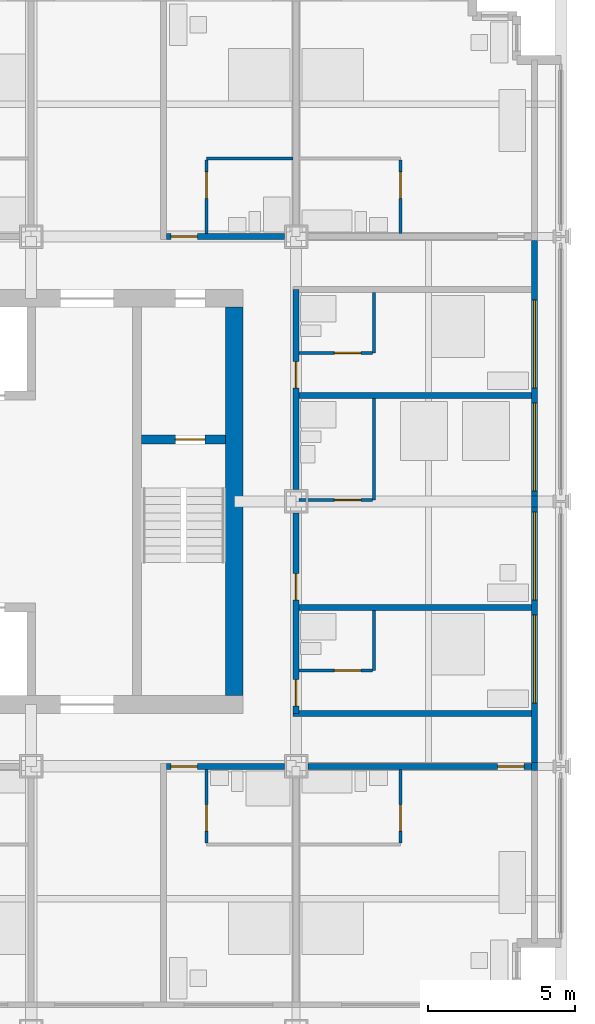
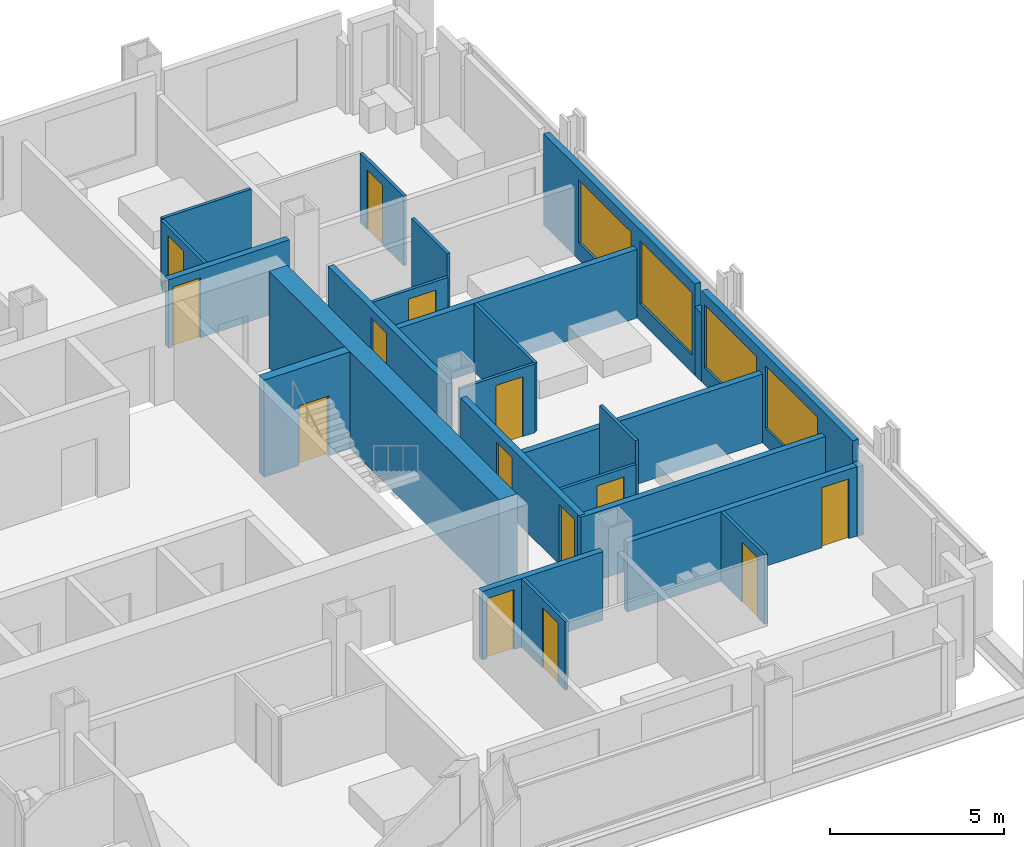
# One storey, part 12 of 17: 25 walls, 14 doors, 4 windows, 18 openings.
"""IFC4 building model written with IfcOpenShell, lengths in metres."""

from ifc_helpers import new_model, si_unit, direction, frame, frame_2d, origin, place, context, subcontext, project, spatial, rectangle, extrude, material, layer, layer_set, type_object, element, fill, save


model = new_model("IFC4")

# Units and contexts
model_context = context("Model", 3, precision=1e-05, world=origin(), true_north=direction((0.0, 1.0)))
body_context = subcontext(model_context, "Body", "Model", "MODEL_VIEW")
ifc_project = project(units=[si_unit("LENGTHUNIT", "METRE"), si_unit("AREAUNIT", "SQUARE_METRE"), si_unit("VOLUMEUNIT", "CUBIC_METRE"), si_unit("PLANEANGLEUNIT", "RADIAN"), si_unit("MASSUNIT", "GRAM", prefix="KILO")], contexts=[model_context])

# Site, building, storey
site_placement = place(None, origin())
site = spatial("IfcSite", under=ifc_project, at=site_placement, CompositionType="ELEMENT")
building_placement = place(site_placement, origin())
building = spatial("IfcBuilding", under=site, at=building_placement, Name="Loomwork Tower", CompositionType="ELEMENT")
storey_placement = place(building_placement, frame((0.0, 0.0, 145.199951171875)))
storey = spatial("IfcBuildingStorey", under=building, at=storey_placement, Name="L39", CompositionType="ELEMENT", Elevation=145.199951171875)

# Wall, opening, door
ifc_material_1 = material(Name="Concrete 14000 psi (97 MPa)", Category="concrete")
ifc_layer_1 = layer(ifc_material_1, 0.300048828125)
ifc_layer_set_1 = layer_set([ifc_layer_1], Name="Core shear wall 300")
wall_type_1 = type_object("IfcWallType", Name="Core shear wall 300", PredefinedType="SHEAR", material=ifc_layer_set_1)
wall_1_placement = place(storey_placement, frame((30.75, 20.10009765625, 0.0), z_axis=(0.0, 0.0, 1.0), x_axis=(1.0, 0.0, 0.0)))
wall_1 = element("IfcWall", 1, at=wall_1_placement, inside=storey, type_object=wall_type_1, Name="Stair B north wall L39", PredefinedType="SHEAR", context=body_context, shape_type="SweptSolid", body=[
    extrude(rectangle(XDim=2.85009765625, YDim=0.300048828125, at=frame_2d((1.425048828125, 0.0))), origin(), (0.0, 0.0, 1.0), 3.400146484375),
])
opening_1_placement = place(wall_1_placement, frame((1.14990234375, 0.0, 0.0)))
opening_1 = element("IfcOpeningElement", 2, at=opening_1_placement, cuts=wall_1, Name="Opening D4", PredefinedType="OPENING", context=body_context, shape_type="SweptSolid", body=[
    extrude(rectangle(XDim=1.0, YDim=2.10009765625, at=frame_2d((0.5, 1.050048828125))), frame((0.0, 0.159912109375, 0.0), z_axis=(0.0, -1.0, 0.0), x_axis=(1.0, 0.0, 0.0)), (0.0, 0.0, 1.0), 0.320068359375),
])
ifc_material_2 = material(Name="Hollow metal door and frame")
door_type_1 = type_object("IfcDoorType", Name="Stair door 1000", OperationType="SINGLE_SWING_RIGHT", PredefinedType="DOOR", material=ifc_material_2)
door_1_placement = place(opening_1_placement, frame((1.0, 0.0, 0.0), z_axis=(0.0, 0.0, 1.0), x_axis=(-1.0, 0.0, 0.0)))
door_1 = element("IfcDoor", 3, at=door_1_placement, inside=storey, type_object=door_type_1, Name="Stair B door", OperationType="SINGLE_SWING_LEFT", OverallHeight=2.10009765625, OverallWidth=1.0, PredefinedType="DOOR", context=body_context, shape_type="SweptSolid", body=[
    extrude(rectangle(XDim=1.0, YDim=2.10009765625, at=frame_2d((0.5, 1.050048828125))), frame((0.0, 0.02490234375, 0.0), z_axis=(0.0, -1.0, 0.0), x_axis=(1.0, 0.0, 0.0)), (0.0, 0.0, 1.0), 0.050048828125),
])
fill(opening_1, door_1)

# Wall
ifc_material_3 = material(Name="Concrete 14000 psi (97 MPa)", Category="concrete")
ifc_layer_2 = layer(ifc_material_3, 0.60009765625)
ifc_layer_set_2 = layer_set([ifc_layer_2], Name="Core shear wall 600")
wall_type_2 = type_object("IfcWallType", Name="Core shear wall 600", PredefinedType="SHEAR", material=ifc_layer_set_2)
wall_2_placement = place(storey_placement, frame((33.89990234375, 11.39990234375, 0.0), z_axis=(0.0, 0.0, 1.0), x_axis=(0.0, 1.0, 0.0)))
element("IfcWall", 4, at=wall_2_placement, inside=storey, type_object=wall_type_2, Name="Core wall east L39", PredefinedType="SHEAR", context=body_context, shape_type="SweptSolid", body=[
    extrude(rectangle(XDim=13.2001953125, YDim=0.60009765625, at=frame_2d((6.60009765625, 0.0))), origin(), (0.0, 0.0, 1.0), 3.400146484375),
])

# Wall, opening, door
ifc_material_4 = material(Name="Gypsum board on steel studs, one-hour", Category="steel")
ifc_layer_3 = layer(ifc_material_4, 0.199951171875)
ifc_layer_set_3 = layer_set([ifc_layer_3], Name="Corridor wall 200")
wall_type_3 = type_object("IfcWallType", Name="Corridor wall 200", PredefinedType="PARTITIONING", material=ifc_layer_set_3)
wall_3_placement = place(storey_placement, frame((31.60009765625, 9.0, 0.0), z_axis=(0.0, 0.0, 1.0), x_axis=(1.0, 0.0, 0.0)))
wall_3 = element("IfcWall", 5, at=wall_3_placement, inside=storey, type_object=wall_type_3, Name="South corridor wall 4", PredefinedType="PARTITIONING", context=body_context, shape_type="SweptSolid", body=[
    extrude(rectangle(XDim=4.0, YDim=0.199951171875, at=frame_2d((2.0, 0.0))), origin(), (0.0, 0.0, 1.0), 2.405029296875),
])
opening_2_placement = place(wall_3_placement, frame((0.14990234375, 0.0, 0.0)))
opening_2 = element("IfcOpeningElement", 6, at=opening_2_placement, cuts=wall_3, Name="Opening D1", PredefinedType="OPENING", context=body_context, shape_type="SweptSolid", body=[
    extrude(rectangle(XDim=0.89990234375, YDim=2.10009765625, at=frame_2d((0.449951171875, 1.050048828125))), frame((0.0, 0.10986328125, 0.0), z_axis=(0.0, -1.0, 0.0), x_axis=(1.0, 0.0, 0.0)), (0.0, 0.0, 1.0), 0.219970703125),
])
ifc_material_5 = material(Name="Hollow metal door and frame")
door_type_2 = type_object("IfcDoorType", Name="Guest room entry door 900", OperationType="SINGLE_SWING_LEFT", PredefinedType="DOOR", material=ifc_material_5)
door_2_placement = place(opening_2_placement, frame((0.89990234375, 0.0, 0.0), z_axis=(0.0, 0.0, 1.0), x_axis=(-1.0, 0.0, 0.0)))
door_2 = element("IfcDoor", 7, at=door_2_placement, inside=storey, type_object=door_type_2, Name="Guest room entry door L39 5", OperationType="SINGLE_SWING_RIGHT", OverallHeight=2.10009765625, OverallWidth=0.89990234375, PredefinedType="DOOR", context=body_context, shape_type="SweptSolid", body=[
    extrude(rectangle(XDim=0.89990234375, YDim=2.10009765625, at=frame_2d((0.449951171875, 1.050048828125))), frame((0.0, 0.02490234375, 0.0), z_axis=(0.0, -1.0, 0.0), x_axis=(1.0, 0.0, 0.0)), (0.0, 0.0, 1.0), 0.050048828125),
])
fill(opening_2, door_2)

wall_4_placement = place(storey_placement, frame((36.39990234375, 9.0, 0.0), z_axis=(0.0, 0.0, 1.0), x_axis=(1.0, 0.0, 0.0)))
wall_4 = element("IfcWall", 8, at=wall_4_placement, inside=storey, type_object=wall_type_3, Name="South corridor wall 5", PredefinedType="PARTITIONING", context=body_context, shape_type="SweptSolid", body=[
    extrude(rectangle(XDim=7.60009765625, YDim=0.199951171875, at=frame_2d((3.800048828125, 0.0))), origin(), (0.0, 0.0, 1.0), 2.43798828125),
])
opening_3_placement = place(wall_4_placement, frame((6.449951171875, 0.0, 0.0)))
opening_3 = element("IfcOpeningElement", 9, at=opening_3_placement, cuts=wall_4, Name="Opening D1", PredefinedType="OPENING", context=body_context, shape_type="SweptSolid", body=[
    extrude(rectangle(XDim=0.89990234375, YDim=2.10009765625, at=frame_2d((0.449951171875, 1.050048828125))), frame((0.0, 0.10986328125, 0.0), z_axis=(0.0, -1.0, 0.0), x_axis=(1.0, 0.0, 0.0)), (0.0, 0.0, 1.0), 0.219970703125),
])
door_3_placement = place(opening_3_placement, frame((0.89990234375, 0.0, 0.0), z_axis=(0.0, 0.0, 1.0), x_axis=(-1.0, 0.0, 0.0)))
door_3 = element("IfcDoor", 10, at=door_3_placement, inside=storey, type_object=door_type_2, Name="Guest room entry door L39 6", OperationType="SINGLE_SWING_LEFT", OverallHeight=2.10009765625, OverallWidth=0.89990234375, PredefinedType="DOOR", context=body_context, shape_type="SweptSolid", body=[
    extrude(rectangle(XDim=0.89990234375, YDim=2.10009765625, at=frame_2d((0.449951171875, 1.050048828125))), frame((0.0, 0.02490234375, 0.0), z_axis=(0.0, -1.0, 0.0), x_axis=(1.0, 0.0, 0.0)), (0.0, 0.0, 1.0), 0.050048828125),
])
fill(opening_3, door_3)

wall_5_placement = place(storey_placement, frame((31.60009765625, 27.0, 0.0), z_axis=(0.0, 0.0, 1.0), x_axis=(1.0, 0.0, 0.0)))
wall_5 = element("IfcWall", 11, at=wall_5_placement, inside=storey, type_object=wall_type_3, Name="North corridor wall 4", PredefinedType="PARTITIONING", context=body_context, shape_type="SweptSolid", body=[
    extrude(rectangle(XDim=4.0, YDim=0.199951171875, at=frame_2d((2.0, 0.0))), origin(), (0.0, 0.0, 1.0), 2.405029296875),
])
opening_4_placement = place(wall_5_placement, frame((0.14990234375, 0.0, 0.0)))
opening_4 = element("IfcOpeningElement", 12, at=opening_4_placement, cuts=wall_5, Name="Opening D1", PredefinedType="OPENING", context=body_context, shape_type="SweptSolid", body=[
    extrude(rectangle(XDim=0.89990234375, YDim=2.10009765625, at=frame_2d((0.449951171875, 1.050048828125))), frame((0.0, 0.10986328125, 0.0), z_axis=(0.0, -1.0, 0.0), x_axis=(1.0, 0.0, 0.0)), (0.0, 0.0, 1.0), 0.219970703125),
])
door_4_placement = place(opening_4_placement, origin())
door_4 = element("IfcDoor", 13, at=door_4_placement, inside=storey, type_object=door_type_2, Name="Guest room entry door L39 12", OperationType="SINGLE_SWING_LEFT", OverallHeight=2.10009765625, OverallWidth=0.89990234375, PredefinedType="DOOR", context=body_context, shape_type="SweptSolid", body=[
    extrude(rectangle(XDim=0.89990234375, YDim=2.10009765625, at=frame_2d((0.449951171875, 1.050048828125))), frame((0.0, 0.02490234375, 0.0), z_axis=(0.0, -1.0, 0.0), x_axis=(1.0, 0.0, 0.0)), (0.0, 0.0, 1.0), 0.050048828125),
])
fill(opening_4, door_4)

# Wall, openings, doors
wall_6_placement = place(storey_placement, frame((36.0, 10.800048828125, 0.0), z_axis=(0.0, 0.0, 1.0), x_axis=(0.0, 1.0, 0.0)))
wall_6 = element("IfcWall", 14, at=wall_6_placement, inside=storey, type_object=wall_type_3, Name="East corridor wall 1", PredefinedType="PARTITIONING", context=body_context, shape_type="SweptSolid", body=[
    extrude(rectangle(XDim=6.800048828125, YDim=0.199951171875, at=frame_2d((3.39990234375, 0.0))), origin(), (0.0, 0.0, 1.0), 2.405029296875),
])
opening_5_placement = place(wall_6_placement, frame((0.25, 0.0, 0.0)))
opening_5 = element("IfcOpeningElement", 15, at=opening_5_placement, cuts=wall_6, Name="Opening D1", PredefinedType="OPENING", context=body_context, shape_type="SweptSolid", body=[
    extrude(rectangle(XDim=0.89990234375, YDim=2.10009765625, at=frame_2d((0.449951171875, 1.050048828125))), frame((0.0, 0.10986328125, 0.0), z_axis=(0.0, -1.0, 0.0), x_axis=(1.0, 0.0, 0.0)), (0.0, 0.0, 1.0), 0.219970703125),
])
opening_6_placement = place(wall_6_placement, frame((3.85009765625, 0.0, 0.0)))
opening_6 = element("IfcOpeningElement", 16, at=opening_6_placement, cuts=wall_6, Name="Opening D1", PredefinedType="OPENING", context=body_context, shape_type="SweptSolid", body=[
    extrude(rectangle(XDim=0.89990234375, YDim=2.10009765625, at=frame_2d((0.449951171875, 1.050048828125))), frame((0.0, 0.10986328125, 0.0), z_axis=(0.0, -1.0, 0.0), x_axis=(1.0, 0.0, 0.0)), (0.0, 0.0, 1.0), 0.219970703125),
])
door_5_placement = place(opening_5_placement, frame((0.89990234375, 0.0, 0.0), z_axis=(0.0, 0.0, 1.0), x_axis=(-1.0, 0.0, 0.0)))
door_5 = element("IfcDoor", 17, at=door_5_placement, inside=storey, type_object=door_type_2, Name="Guest room entry door L39 17", OperationType="SINGLE_SWING_RIGHT", OverallHeight=2.10009765625, OverallWidth=0.89990234375, PredefinedType="DOOR", context=body_context, shape_type="SweptSolid", body=[
    extrude(rectangle(XDim=0.89990234375, YDim=2.10009765625, at=frame_2d((0.449951171875, 1.050048828125))), frame((0.0, 0.02490234375, 0.0), z_axis=(0.0, -1.0, 0.0), x_axis=(1.0, 0.0, 0.0)), (0.0, 0.0, 1.0), 0.050048828125),
])
fill(opening_5, door_5)
door_6_placement = place(opening_6_placement, frame((0.89990234375, 0.0, 0.0), z_axis=(0.0, 0.0, 1.0), x_axis=(-1.0, 0.0, 0.0)))
door_6 = element("IfcDoor", 18, at=door_6_placement, inside=storey, type_object=door_type_2, Name="Guest room entry door L39 18", OperationType="SINGLE_SWING_RIGHT", OverallHeight=2.10009765625, OverallWidth=0.89990234375, PredefinedType="DOOR", context=body_context, shape_type="SweptSolid", body=[
    extrude(rectangle(XDim=0.89990234375, YDim=2.10009765625, at=frame_2d((0.449951171875, 1.050048828125))), frame((0.0, 0.02490234375, 0.0), z_axis=(0.0, -1.0, 0.0), x_axis=(1.0, 0.0, 0.0)), (0.0, 0.0, 1.0), 0.050048828125),
])
fill(opening_6, door_6)

# Wall, opening, door
wall_7_placement = place(storey_placement, frame((36.0, 18.39990234375, 0.0), z_axis=(0.0, 0.0, 1.0), x_axis=(0.0, 1.0, 0.0)))
wall_7 = element("IfcWall", 19, at=wall_7_placement, inside=storey, type_object=wall_type_3, Name="East corridor wall 2", PredefinedType="PARTITIONING", context=body_context, shape_type="SweptSolid", body=[
    extrude(rectangle(XDim=6.800048828125, YDim=0.199951171875, at=frame_2d((3.39990234375, 0.0))), origin(), (0.0, 0.0, 1.0), 2.405029296875),
])
opening_7_placement = place(wall_7_placement, frame((3.449951171875, 0.0, 0.0)))
opening_7 = element("IfcOpeningElement", 20, at=opening_7_placement, cuts=wall_7, Name="Opening D1", PredefinedType="OPENING", context=body_context, shape_type="SweptSolid", body=[
    extrude(rectangle(XDim=0.89990234375, YDim=2.10009765625, at=frame_2d((0.449951171875, 1.050048828125))), frame((0.0, 0.10986328125, 0.0), z_axis=(0.0, -1.0, 0.0), x_axis=(1.0, 0.0, 0.0)), (0.0, 0.0, 1.0), 0.219970703125),
])
door_7_placement = place(opening_7_placement, frame((0.89990234375, 0.0, 0.0), z_axis=(0.0, 0.0, 1.0), x_axis=(-1.0, 0.0, 0.0)))
door_7 = element("IfcDoor", 21, at=door_7_placement, inside=storey, type_object=door_type_2, Name="Guest room entry door L39 19", OperationType="SINGLE_SWING_RIGHT", OverallHeight=2.10009765625, OverallWidth=0.89990234375, PredefinedType="DOOR", context=body_context, shape_type="SweptSolid", body=[
    extrude(rectangle(XDim=0.89990234375, YDim=2.10009765625, at=frame_2d((0.449951171875, 1.050048828125))), frame((0.0, 0.02490234375, 0.0), z_axis=(0.0, -1.0, 0.0), x_axis=(1.0, 0.0, 0.0)), (0.0, 0.0, 1.0), 0.050048828125),
])
fill(opening_7, door_7)

# Wall
wall_8_placement = place(storey_placement, frame((35.89990234375, 10.800048828125, 0.0), z_axis=(0.0, 0.0, 1.0), x_axis=(1.0, 0.0, 0.0)))
element("IfcWall", 22, at=wall_8_placement, inside=storey, type_object=wall_type_3, Name="East band end wall S", PredefinedType="PARTITIONING", context=body_context, shape_type="SweptSolid", body=[
    extrude(rectangle(XDim=8.10009765625, YDim=0.199951171875, at=frame_2d((4.050048828125, 0.0))), origin(), (0.0, 0.0, 1.0), 2.404052734375),
])

# Wall, opening, door
ifc_material_6 = material(Name="Cement board on steel studs", Category="steel")
ifc_layer_4 = layer(ifc_material_6, 0.10009765625)
ifc_layer_set_4 = layer_set([ifc_layer_4], Name="En-suite partition 100")
wall_type_4 = type_object("IfcWallType", Name="En-suite partition 100", PredefinedType="PARTITIONING", material=ifc_layer_set_4)
wall_9_placement = place(storey_placement, frame((32.949951171875, 8.89990234375, 0.0), z_axis=(0.0, 0.0, 1.0), x_axis=(0.0, -1.0, 0.0)))
wall_9 = element("IfcWall", 23, at=wall_9_placement, inside=storey, type_object=wall_type_4, Name="En-suite side wall L39 room 5", PredefinedType="PARTITIONING", context=body_context, shape_type="SweptSolid", body=[
    extrude(rectangle(XDim=2.5, YDim=0.10009765625, at=frame_2d((1.25, 0.0))), origin(), (0.0, 0.0, 1.0), 2.404052734375),
])
opening_8_placement = place(wall_9_placement, frame((1.199951171875, 0.0, 0.0)))
opening_8 = element("IfcOpeningElement", 24, at=opening_8_placement, cuts=wall_9, Name="Opening D3", PredefinedType="OPENING", context=body_context, shape_type="SweptSolid", body=[
    extrude(rectangle(XDim=0.89990234375, YDim=2.10009765625, at=frame_2d((0.449951171875, 1.050048828125))), frame((0.0, 0.06005859375, 0.0), z_axis=(0.0, -1.0, 0.0), x_axis=(1.0, 0.0, 0.0)), (0.0, 0.0, 1.0), 0.1201171875),
])
ifc_material_7 = material(Name="Hollow metal door and frame")
door_type_3 = type_object("IfcDoorType", Name="Accessible en-suite door 900", OperationType="SLIDING_TO_LEFT", PredefinedType="DOOR", material=ifc_material_7)
door_8_placement = place(opening_8_placement, origin())
door_8 = element("IfcDoor", 25, at=door_8_placement, inside=storey, type_object=door_type_3, Name="Accessible en-suite door room 5", OperationType="SLIDING_TO_LEFT", OverallHeight=2.10009765625, OverallWidth=0.89990234375, PredefinedType="DOOR", context=body_context, shape_type="SweptSolid", body=[
    extrude(rectangle(XDim=0.89990234375, YDim=2.10009765625, at=frame_2d((0.449951171875, 1.050048828125))), frame((0.0, 0.02490234375, 0.0), z_axis=(0.0, -1.0, 0.0), x_axis=(1.0, 0.0, 0.0)), (0.0, 0.0, 1.0), 0.050048828125),
])
fill(opening_8, door_8)

wall_10_placement = place(storey_placement, frame((39.550048828125, 8.89990234375, 0.0), z_axis=(0.0, 0.0, 1.0), x_axis=(0.0, -1.0, 0.0)))
wall_10 = element("IfcWall", 26, at=wall_10_placement, inside=storey, type_object=wall_type_4, Name="En-suite side wall L39 room 6", PredefinedType="PARTITIONING", context=body_context, shape_type="SweptSolid", body=[
    extrude(rectangle(XDim=2.5, YDim=0.10009765625, at=frame_2d((1.25, 0.0))), origin(), (0.0, 0.0, 1.0), 2.43798828125),
])
opening_9_placement = place(wall_10_placement, frame((1.199951171875, 0.0, 0.0)))
opening_9 = element("IfcOpeningElement", 27, at=opening_9_placement, cuts=wall_10, Name="Opening D2", PredefinedType="OPENING", context=body_context, shape_type="SweptSolid", body=[
    extrude(rectangle(XDim=0.89990234375, YDim=2.10009765625, at=frame_2d((0.449951171875, 1.050048828125))), frame((0.0, 0.06005859375, 0.0), z_axis=(0.0, -1.0, 0.0), x_axis=(1.0, 0.0, 0.0)), (0.0, 0.0, 1.0), 0.1201171875),
])
ifc_material_8 = material(Name="Hollow metal door and frame")
door_type_4 = type_object("IfcDoorType", Name="En-suite door 900", OperationType="SINGLE_SWING_LEFT", PredefinedType="DOOR", material=ifc_material_8)
door_9_placement = place(opening_9_placement, frame((0.89990234375, 0.0, 0.0), z_axis=(0.0, 0.0, 1.0), x_axis=(-1.0, 0.0, 0.0)))
door_9 = element("IfcDoor", 28, at=door_9_placement, inside=storey, type_object=door_type_4, Name="En-suite door room 6", OperationType="SINGLE_SWING_LEFT", OverallHeight=2.10009765625, OverallWidth=0.89990234375, PredefinedType="DOOR", context=body_context, shape_type="SweptSolid", body=[
    extrude(rectangle(XDim=0.89990234375, YDim=2.10009765625, at=frame_2d((0.449951171875, 1.050048828125))), frame((0.0, 0.02490234375, 0.0), z_axis=(0.0, -1.0, 0.0), x_axis=(1.0, 0.0, 0.0)), (0.0, 0.0, 1.0), 0.050048828125),
])
fill(opening_9, door_9)

# Wall
wall_11_placement = place(storey_placement, frame((32.949951171875, 29.64990234375, 0.0), z_axis=(0.0, 0.0, 1.0), x_axis=(1.0, 0.0, 0.0)))
element("IfcWall", 29, at=wall_11_placement, inside=storey, type_object=wall_type_4, Name="En-suite wall L39 room 12", PredefinedType="PARTITIONING", context=body_context, shape_type="SweptSolid", body=[
    extrude(rectangle(XDim=2.949951171875, YDim=0.10009765625, at=frame_2d((1.47509765625, 0.0))), origin(), (0.0, 0.0, 1.0), 2.43798828125),
])

# Wall, opening, door
wall_12_placement = place(storey_placement, frame((32.949951171875, 27.10009765625, 0.0), z_axis=(0.0, 0.0, 1.0), x_axis=(0.0, 1.0, 0.0)))
wall_12 = element("IfcWall", 30, at=wall_12_placement, inside=storey, type_object=wall_type_4, Name="En-suite side wall L39 room 12", PredefinedType="PARTITIONING", context=body_context, shape_type="SweptSolid", body=[
    extrude(rectangle(XDim=2.5, YDim=0.10009765625, at=frame_2d((1.25, 0.0))), origin(), (0.0, 0.0, 1.0), 2.404052734375),
])
opening_10_placement = place(wall_12_placement, frame((1.199951171875, 0.0, 0.0)))
opening_10 = element("IfcOpeningElement", 31, at=opening_10_placement, cuts=wall_12, Name="Opening D2", PredefinedType="OPENING", context=body_context, shape_type="SweptSolid", body=[
    extrude(rectangle(XDim=0.89990234375, YDim=2.10009765625, at=frame_2d((0.449951171875, 1.050048828125))), frame((0.0, 0.06005859375, 0.0), z_axis=(0.0, -1.0, 0.0), x_axis=(1.0, 0.0, 0.0)), (0.0, 0.0, 1.0), 0.1201171875),
])
door_10_placement = place(opening_10_placement, frame((0.89990234375, 0.0, 0.0), z_axis=(0.0, 0.0, 1.0), x_axis=(-1.0, 0.0, 0.0)))
door_10 = element("IfcDoor", 32, at=door_10_placement, inside=storey, type_object=door_type_4, Name="En-suite door room 12", OperationType="SINGLE_SWING_LEFT", OverallHeight=2.10009765625, OverallWidth=0.89990234375, PredefinedType="DOOR", context=body_context, shape_type="SweptSolid", body=[
    extrude(rectangle(XDim=0.89990234375, YDim=2.10009765625, at=frame_2d((0.449951171875, 1.050048828125))), frame((0.0, 0.02490234375, 0.0), z_axis=(0.0, -1.0, 0.0), x_axis=(1.0, 0.0, 0.0)), (0.0, 0.0, 1.0), 0.050048828125),
])
fill(opening_10, door_10)

wall_13_placement = place(storey_placement, frame((39.550048828125, 27.10009765625, 0.0), z_axis=(0.0, 0.0, 1.0), x_axis=(0.0, 1.0, 0.0)))
wall_13 = element("IfcWall", 33, at=wall_13_placement, inside=storey, type_object=wall_type_4, Name="En-suite side wall L39 room 13", PredefinedType="PARTITIONING", context=body_context, shape_type="SweptSolid", body=[
    extrude(rectangle(XDim=2.5, YDim=0.10009765625, at=frame_2d((1.25, 0.0))), origin(), (0.0, 0.0, 1.0), 2.43798828125),
])
opening_11_placement = place(wall_13_placement, frame((1.199951171875, 0.0, 0.0)))
opening_11 = element("IfcOpeningElement", 34, at=opening_11_placement, cuts=wall_13, Name="Opening D2", PredefinedType="OPENING", context=body_context, shape_type="SweptSolid", body=[
    extrude(rectangle(XDim=0.89990234375, YDim=2.10009765625, at=frame_2d((0.449951171875, 1.050048828125))), frame((0.0, 0.06005859375, 0.0), z_axis=(0.0, -1.0, 0.0), x_axis=(1.0, 0.0, 0.0)), (0.0, 0.0, 1.0), 0.1201171875),
])
door_11_placement = place(opening_11_placement, origin())
door_11 = element("IfcDoor", 35, at=door_11_placement, inside=storey, type_object=door_type_4, Name="En-suite door room 13", OperationType="SINGLE_SWING_RIGHT", OverallHeight=2.10009765625, OverallWidth=0.89990234375, PredefinedType="DOOR", context=body_context, shape_type="SweptSolid", body=[
    extrude(rectangle(XDim=0.89990234375, YDim=2.10009765625, at=frame_2d((0.449951171875, 1.050048828125))), frame((0.0, 0.02490234375, 0.0), z_axis=(0.0, -1.0, 0.0), x_axis=(1.0, 0.0, 0.0)), (0.0, 0.0, 1.0), 0.050048828125),
])
fill(opening_11, door_11)

# Wall
wall_14_placement = place(storey_placement, frame((38.64990234375, 12.25, 0.0), z_axis=(0.0, 0.0, 1.0), x_axis=(0.0, 1.0, 0.0)))
element("IfcWall", 36, at=wall_14_placement, inside=storey, type_object=wall_type_4, Name="En-suite wall L39 room 17", PredefinedType="PARTITIONING", context=body_context, shape_type="SweptSolid", body=[
    extrude(rectangle(XDim=2.050048828125, YDim=0.10009765625, at=frame_2d((1.02490234375, 0.0))), origin(), (0.0, 0.0, 1.0), 3.199951171875),
])

# Wall, opening, door
wall_15_placement = place(storey_placement, frame((36.10009765625, 12.25, 0.0), z_axis=(0.0, 0.0, 1.0), x_axis=(1.0, 0.0, 0.0)))
wall_15 = element("IfcWall", 37, at=wall_15_placement, inside=storey, type_object=wall_type_4, Name="En-suite side wall L39 room 17", PredefinedType="PARTITIONING", context=body_context, shape_type="SweptSolid", body=[
    extrude(rectangle(XDim=2.5, YDim=0.10009765625, at=frame_2d((1.25, 0.0))), origin(), (0.0, 0.0, 1.0), 2.404052734375),
])
opening_12_placement = place(wall_15_placement, frame((1.199951171875, 0.0, 0.0)))
opening_12 = element("IfcOpeningElement", 38, at=opening_12_placement, cuts=wall_15, Name="Opening D2", PredefinedType="OPENING", context=body_context, shape_type="SweptSolid", body=[
    extrude(rectangle(XDim=0.89990234375, YDim=2.10009765625, at=frame_2d((0.449951171875, 1.050048828125))), frame((0.0, 0.06005859375, 0.0), z_axis=(0.0, -1.0, 0.0), x_axis=(1.0, 0.0, 0.0)), (0.0, 0.0, 1.0), 0.1201171875),
])
door_12_placement = place(opening_12_placement, origin())
door_12 = element("IfcDoor", 39, at=door_12_placement, inside=storey, type_object=door_type_4, Name="En-suite door room 17", OperationType="SINGLE_SWING_RIGHT", OverallHeight=2.10009765625, OverallWidth=0.89990234375, PredefinedType="DOOR", context=body_context, shape_type="SweptSolid", body=[
    extrude(rectangle(XDim=0.89990234375, YDim=2.10009765625, at=frame_2d((0.449951171875, 1.050048828125))), frame((0.0, 0.02490234375, 0.0), z_axis=(0.0, -1.0, 0.0), x_axis=(1.0, 0.0, 0.0)), (0.0, 0.0, 1.0), 0.050048828125),
])
fill(opening_12, door_12)

# Wall
wall_16_placement = place(storey_placement, frame((38.64990234375, 18.050048828125, 0.0), z_axis=(0.0, 0.0, 1.0), x_axis=(0.0, 1.0, 0.0)))
element("IfcWall", 40, at=wall_16_placement, inside=storey, type_object=wall_type_4, Name="En-suite wall L39 room 18", PredefinedType="PARTITIONING", context=body_context, shape_type="SweptSolid", body=[
    extrude(rectangle(XDim=3.449951171875, YDim=0.10009765625, at=frame_2d((1.72509765625, 0.0))), origin(), (0.0, 0.0, 1.0), 2.404052734375),
])

# Wall, opening, door
wall_17_placement = place(storey_placement, frame((36.10009765625, 18.050048828125, 0.0), z_axis=(0.0, 0.0, 1.0), x_axis=(1.0, 0.0, 0.0)))
wall_17 = element("IfcWall", 41, at=wall_17_placement, inside=storey, type_object=wall_type_4, Name="En-suite side wall L39 room 18", PredefinedType="PARTITIONING", context=body_context, shape_type="SweptSolid", body=[
    extrude(rectangle(XDim=2.5, YDim=0.10009765625, at=frame_2d((1.25, 0.0))), origin(), (0.0, 0.0, 1.0), 2.405029296875),
])
opening_13_placement = place(wall_17_placement, frame((1.199951171875, 0.0, 0.0)))
opening_13 = element("IfcOpeningElement", 42, at=opening_13_placement, cuts=wall_17, Name="Opening D2", PredefinedType="OPENING", context=body_context, shape_type="SweptSolid", body=[
    extrude(rectangle(XDim=0.89990234375, YDim=2.10009765625, at=frame_2d((0.449951171875, 1.050048828125))), frame((0.0, 0.06005859375, 0.0), z_axis=(0.0, -1.0, 0.0), x_axis=(1.0, 0.0, 0.0)), (0.0, 0.0, 1.0), 0.1201171875),
])
door_13_placement = place(opening_13_placement, origin())
door_13 = element("IfcDoor", 43, at=door_13_placement, inside=storey, type_object=door_type_4, Name="En-suite door room 18", OperationType="SINGLE_SWING_RIGHT", OverallHeight=2.10009765625, OverallWidth=0.89990234375, PredefinedType="DOOR", context=body_context, shape_type="SweptSolid", body=[
    extrude(rectangle(XDim=0.89990234375, YDim=2.10009765625, at=frame_2d((0.449951171875, 1.050048828125))), frame((0.0, 0.02490234375, 0.0), z_axis=(0.0, -1.0, 0.0), x_axis=(1.0, 0.0, 0.0)), (0.0, 0.0, 1.0), 0.050048828125),
])
fill(opening_13, door_13)

# Wall
wall_18_placement = place(storey_placement, frame((38.64990234375, 23.050048828125, 0.0), z_axis=(0.0, 0.0, 1.0), x_axis=(0.0, 1.0, 0.0)))
element("IfcWall", 44, at=wall_18_placement, inside=storey, type_object=wall_type_4, Name="En-suite wall L39 room 19", PredefinedType="PARTITIONING", context=body_context, shape_type="SweptSolid", body=[
    extrude(rectangle(XDim=2.050048828125, YDim=0.10009765625, at=frame_2d((1.02490234375, 0.0))), origin(), (0.0, 0.0, 1.0), 3.199951171875),
])

# Wall, opening, door
wall_19_placement = place(storey_placement, frame((36.10009765625, 23.050048828125, 0.0), z_axis=(0.0, 0.0, 1.0), x_axis=(1.0, 0.0, 0.0)))
wall_19 = element("IfcWall", 45, at=wall_19_placement, inside=storey, type_object=wall_type_4, Name="En-suite side wall L39 room 19", PredefinedType="PARTITIONING", context=body_context, shape_type="SweptSolid", body=[
    extrude(rectangle(XDim=2.5, YDim=0.10009765625, at=frame_2d((1.25, 0.0))), origin(), (0.0, 0.0, 1.0), 2.404052734375),
])
opening_14_placement = place(wall_19_placement, frame((1.199951171875, 0.0, 0.0)))
opening_14 = element("IfcOpeningElement", 46, at=opening_14_placement, cuts=wall_19, Name="Opening D2", PredefinedType="OPENING", context=body_context, shape_type="SweptSolid", body=[
    extrude(rectangle(XDim=0.89990234375, YDim=2.10009765625, at=frame_2d((0.449951171875, 1.050048828125))), frame((0.0, 0.06005859375, 0.0), z_axis=(0.0, -1.0, 0.0), x_axis=(1.0, 0.0, 0.0)), (0.0, 0.0, 1.0), 0.1201171875),
])
door_14_placement = place(opening_14_placement, origin())
door_14 = element("IfcDoor", 47, at=door_14_placement, inside=storey, type_object=door_type_4, Name="En-suite door room 19", OperationType="SINGLE_SWING_RIGHT", OverallHeight=2.10009765625, OverallWidth=0.89990234375, PredefinedType="DOOR", context=body_context, shape_type="SweptSolid", body=[
    extrude(rectangle(XDim=0.89990234375, YDim=2.10009765625, at=frame_2d((0.449951171875, 1.050048828125))), frame((0.0, 0.02490234375, 0.0), z_axis=(0.0, -1.0, 0.0), x_axis=(1.0, 0.0, 0.0)), (0.0, 0.0, 1.0), 0.050048828125),
])
fill(opening_14, door_14)

# Walls
ifc_material_9 = material(Name="Gypsum board on steel studs, acoustic", Category="steel")
ifc_layer_5 = layer(ifc_material_9, 0.199951171875)
ifc_layer_set_5 = layer_set([ifc_layer_5], Name="Guest room party wall 200")
wall_type_5 = type_object("IfcWallType", Name="Guest room party wall 200", PredefinedType="PARTITIONING", material=ifc_layer_set_5)
for number, where, z_axis, x_axis, name in (
    (48, (36.10009765625, 14.39990234375, 0.0), (0.0, 0.0, 1.0), (1.0, 0.0, 0.0), "Guest room party wall E 14.4"),
    (49, (36.10009765625, 21.60009765625, 0.0), (0.0, 0.0, 1.0), (1.0, 0.0, 0.0), "Guest room party wall E 21.6"),
):
    element("IfcWall", number, at=place(storey_placement, frame(where, z_axis=z_axis, x_axis=x_axis)), inside=storey, type_object=wall_type_5, Name=name, PredefinedType="PARTITIONING", context=body_context, shape_type="SweptSolid", body=[
        extrude(rectangle(XDim=7.89990234375, YDim=0.199951171875, at=frame_2d((3.949951171875, 0.0))), origin(), (0.0, 0.0, 1.0), 2.404052734375),
    ])
ifc_material_10 = material(Name="Insulated steel stud wall with gypsum lining", Category="steel")
ifc_layer_6 = layer(ifc_material_10, 0.199951171875)
ifc_layer_set_6 = layer_set([ifc_layer_6], Name="Inner skin wall 200")
wall_type_6 = type_object("IfcWallType", Name="Inner skin wall 200", PredefinedType="SOLIDWALL", material=ifc_layer_set_6)
wall_20_placement = place(storey_placement, frame((44.10009765625, 8.86474609375, 0.0), z_axis=(0.0, 0.0, 1.0), x_axis=(0.0, 1.0, 0.0)))
element("IfcWall", 50, at=wall_20_placement, inside=storey, type_object=wall_type_6, Name="Inner skin wall E bay 4", PredefinedType="SOLIDWALL", context=body_context, shape_type="SweptSolid", body=[
    extrude(rectangle(XDim=0.2705078125, YDim=0.199951171875, at=frame_2d((0.13525390625, 0.0))), origin(), (0.0, 0.0, 1.0), 2.43798828125),
])

# Wall, openings, windows
wall_21_placement = place(storey_placement, frame((44.10009765625, 9.13525390625, 0.0), z_axis=(0.0, 0.0, 1.0), x_axis=(0.0, 1.0, 0.0)))
wall_21 = element("IfcWall", 51, at=wall_21_placement, inside=storey, type_object=wall_type_6, Name="Inner skin wall E bay 5", PredefinedType="SOLIDWALL", context=body_context, shape_type="SweptSolid", body=[
    extrude(rectangle(XDim=8.6708984375, YDim=0.199951171875, at=frame_2d((4.33544921875, 0.0))), origin(), (0.0, 0.0, 1.0), 3.199951171875),
])
opening_15_placement = place(wall_21_placement, frame((2.0146484375, 0.0, 0.60009765625)))
opening_15 = element("IfcOpeningElement", 52, at=opening_15_placement, cuts=wall_21, Name="Opening CH1", PredefinedType="OPENING", context=body_context, shape_type="SweptSolid", body=[
    extrude(rectangle(XDim=3.0, YDim=2.199951171875, at=frame_2d((1.5, 1.10009765625))), frame((0.0, 0.10986328125, 0.0), z_axis=(0.0, -1.0, 0.0), x_axis=(1.0, 0.0, 0.0)), (0.0, 0.0, 1.0), 0.219970703125),
])
opening_16_placement = place(wall_21_placement, frame((5.5146484375, 0.0, 0.60009765625)))
opening_16 = element("IfcOpeningElement", 53, at=opening_16_placement, cuts=wall_21, Name="Opening CH1", PredefinedType="OPENING", context=body_context, shape_type="SweptSolid", body=[
    extrude(rectangle(XDim=3.0, YDim=2.199951171875, at=frame_2d((1.5, 1.10009765625))), frame((0.0, 0.10986328125, 0.0), z_axis=(0.0, -1.0, 0.0), x_axis=(1.0, 0.0, 0.0)), (0.0, 0.0, 1.0), 0.219970703125),
])
ifc_material_11 = material(Name="Aluminium frame with clear insulated glass", Category="aluminium")
window_type = type_object("IfcWindowType", Name="Chicago window 3000", PartitioningType="TRIPLE_PANEL_VERTICAL", PredefinedType="WINDOW", material=ifc_material_11)
window_1_placement = place(opening_15_placement, origin())
window_1 = element("IfcWindow", 54, at=window_1_placement, inside=storey, type_object=window_type, Name="Chicago window L39 bay 13", OverallHeight=2.199951171875, OverallWidth=3.0, PartitioningType="TRIPLE_PANEL_VERTICAL", PredefinedType="WINDOW", context=body_context, shape_type="SweptSolid", body=[
    extrude(rectangle(XDim=3.0, YDim=2.199951171875, at=frame_2d((1.5, 1.10009765625))), frame((0.0, 0.030029296875, 0.0), z_axis=(0.0, -1.0, 0.0), x_axis=(1.0, 0.0, 0.0)), (0.0, 0.0, 1.0), 0.06005859375),
])
fill(opening_15, window_1)
window_2_placement = place(opening_16_placement, origin())
window_2 = element("IfcWindow", 55, at=window_2_placement, inside=storey, type_object=window_type, Name="Chicago window L39 bay 13", OverallHeight=2.199951171875, OverallWidth=3.0, PartitioningType="TRIPLE_PANEL_VERTICAL", PredefinedType="WINDOW", context=body_context, shape_type="SweptSolid", body=[
    extrude(rectangle(XDim=3.0, YDim=2.199951171875, at=frame_2d((1.5, 1.10009765625))), frame((0.0, 0.030029296875, 0.0), z_axis=(0.0, -1.0, 0.0), x_axis=(1.0, 0.0, 0.0)), (0.0, 0.0, 1.0), 0.06005859375),
])
fill(opening_16, window_2)

# Wall
wall_22_placement = place(storey_placement, frame((44.10009765625, 17.80615234375, 0.0), z_axis=(0.0, 0.0, 1.0), x_axis=(0.0, 1.0, 0.0)))
element("IfcWall", 56, at=wall_22_placement, inside=storey, type_object=wall_type_6, Name="Inner skin wall E bay 6", PredefinedType="SOLIDWALL", context=body_context, shape_type="SweptSolid", body=[
    extrude(rectangle(XDim=0.3876953125, YDim=0.199951171875, at=frame_2d((0.19384765625, 0.0))), origin(), (0.0, 0.0, 1.0), 2.404052734375),
])

# Wall, openings, windows
wall_23_placement = place(storey_placement, frame((44.10009765625, 18.19384765625, 0.0), z_axis=(0.0, 0.0, 1.0), x_axis=(0.0, 1.0, 0.0)))
wall_23 = element("IfcWall", 57, at=wall_23_placement, inside=storey, type_object=wall_type_6, Name="Inner skin wall E bay 7", PredefinedType="SOLIDWALL", context=body_context, shape_type="SweptSolid", body=[
    extrude(rectangle(XDim=8.6708984375, YDim=0.199951171875, at=frame_2d((4.33544921875, 0.0))), origin(), (0.0, 0.0, 1.0), 3.199951171875),
])
opening_17_placement = place(wall_23_placement, frame((0.15625, 0.0, 0.60009765625)))
opening_17 = element("IfcOpeningElement", 58, at=opening_17_placement, cuts=wall_23, Name="Opening CH1", PredefinedType="OPENING", context=body_context, shape_type="SweptSolid", body=[
    extrude(rectangle(XDim=3.0, YDim=2.199951171875, at=frame_2d((1.5, 1.10009765625))), frame((0.0, 0.10986328125, 0.0), z_axis=(0.0, -1.0, 0.0), x_axis=(1.0, 0.0, 0.0)), (0.0, 0.0, 1.0), 0.219970703125),
])
opening_18_placement = place(wall_23_placement, frame((3.65625, 0.0, 0.60009765625)))
opening_18 = element("IfcOpeningElement", 59, at=opening_18_placement, cuts=wall_23, Name="Opening CH1", PredefinedType="OPENING", context=body_context, shape_type="SweptSolid", body=[
    extrude(rectangle(XDim=3.0, YDim=2.199951171875, at=frame_2d((1.5, 1.10009765625))), frame((0.0, 0.10986328125, 0.0), z_axis=(0.0, -1.0, 0.0), x_axis=(1.0, 0.0, 0.0)), (0.0, 0.0, 1.0), 0.219970703125),
])
window_3_placement = place(opening_17_placement, origin())
window_3 = element("IfcWindow", 60, at=window_3_placement, inside=storey, type_object=window_type, Name="Chicago window L39 bay 14", OverallHeight=2.199951171875, OverallWidth=3.0, PartitioningType="TRIPLE_PANEL_VERTICAL", PredefinedType="WINDOW", context=body_context, shape_type="SweptSolid", body=[
    extrude(rectangle(XDim=3.0, YDim=2.199951171875, at=frame_2d((1.5, 1.10009765625))), frame((0.0, 0.030029296875, 0.0), z_axis=(0.0, -1.0, 0.0), x_axis=(1.0, 0.0, 0.0)), (0.0, 0.0, 1.0), 0.06005859375),
])
fill(opening_17, window_3)
window_4_placement = place(opening_18_placement, origin())
window_4 = element("IfcWindow", 61, at=window_4_placement, inside=storey, type_object=window_type, Name="Chicago window L39 bay 14", OverallHeight=2.199951171875, OverallWidth=3.0, PartitioningType="TRIPLE_PANEL_VERTICAL", PredefinedType="WINDOW", context=body_context, shape_type="SweptSolid", body=[
    extrude(rectangle(XDim=3.0, YDim=2.199951171875, at=frame_2d((1.5, 1.10009765625))), frame((0.0, 0.030029296875, 0.0), z_axis=(0.0, -1.0, 0.0), x_axis=(1.0, 0.0, 0.0)), (0.0, 0.0, 1.0), 0.06005859375),
])
fill(opening_18, window_4)

save(model, "model.ifc")
